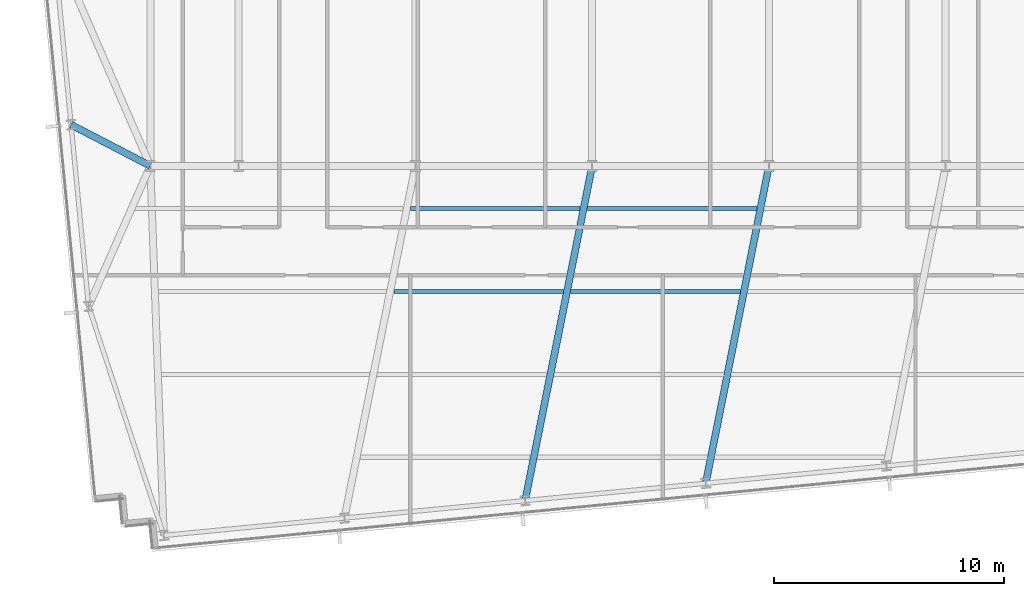
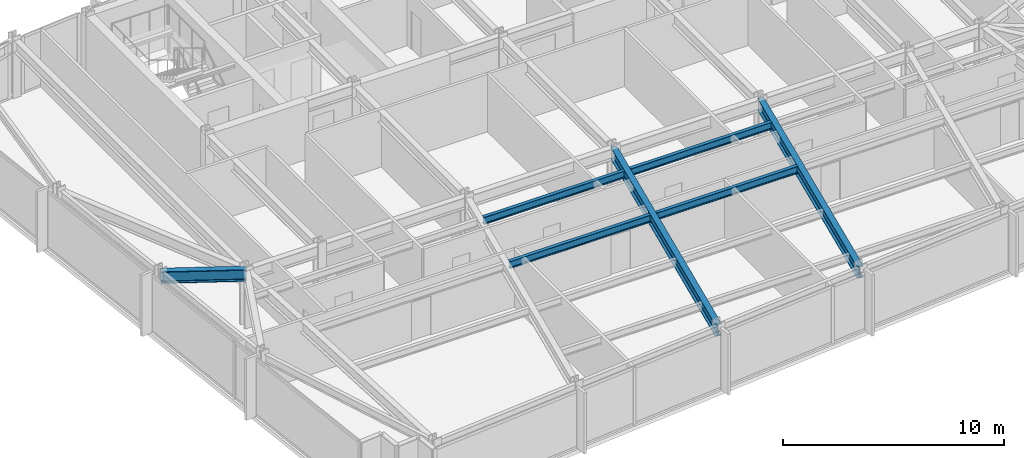
# One storey, part 5 of 33: 7 beams.
"""IFC4 building model written with IfcOpenShell, lengths in metres."""

from ifc_helpers import new_model, si_unit, direction, frame, origin, origin_2d, place, context, subcontext, project, spatial, i_section, extrude, material, material_profile, profile_set, type_object, element, save


model = new_model("IFC4")

# Units and contexts
model_context = context("Model", 3, precision=1e-05, world=origin(), true_north=direction((0.0, 1.0)))
body_context = subcontext(model_context, "Body", "Model", "MODEL_VIEW")
ifc_project = project(units=[si_unit("LENGTHUNIT", "METRE"), si_unit("AREAUNIT", "SQUARE_METRE"), si_unit("VOLUMEUNIT", "CUBIC_METRE"), si_unit("PLANEANGLEUNIT", "RADIAN"), si_unit("MASSUNIT", "GRAM", prefix="KILO")], contexts=[model_context])

# Site, building, storey
site_placement = place(None, origin())
site = spatial("IfcSite", under=ifc_project, at=site_placement, CompositionType="ELEMENT")
building_placement = place(site_placement, origin())
building = spatial("IfcBuilding", under=site, at=building_placement, Name="Yelkora Congress Tower", CompositionType="ELEMENT")
storey_placement = place(building_placement, frame((0.0, 0.0, 123.699951171875)))
storey = spatial("IfcBuildingStorey", under=building, at=storey_placement, Name="L33", CompositionType="ELEMENT", Elevation=123.699951171875)

# Beams
ifc_material = material(Name="Steel S355J2", Category="steel")
ifc_material_profile_1 = material_profile(ifc_material, i_section(OverallWidth=0.300048828125, OverallDepth=0.64990234375, WebThickness=0.01611328125, FlangeThickness=0.031005859375, FilletRadius=0.027099609375, at=origin_2d()), Name="HEB 650")
ifc_profile_set_1 = profile_set([ifc_material_profile_1], Name="Steel S355J2")
beam_type_1 = type_object("IfcBeamType", Name="BM-GIRD-HEB650", PredefinedType="BEAM", material=ifc_profile_set_1)
beam_1_placement = place(storey_placement, frame((35.48486328125, 10.656005859375, 2.85498046875), z_axis=(0.196521264673, 0.980499562739, 0.0), x_axis=(-0.980499562739, 0.196521264673, 0.0)))
element("IfcBeam", 1, at=beam_1_placement, inside=storey, type_object=beam_type_1, Name="L33 Primary Frame Girder S03", PredefinedType="BEAM", context=body_context, shape_type="SweptSolid", body=[
    extrude(i_section(OverallWidth=0.300048828125, OverallDepth=0.64990234375, WebThickness=0.01611328125, FlangeThickness=0.031005859375, FilletRadius=0.027099609375, at=origin_2d()), origin(), (0.0, 0.0, 1.0), 14.833251953125),
])
beam_2_placement = place(storey_placement, frame((43.334228515625, 11.411865234375, 2.85498046875), z_axis=(0.195311238928, 0.980741311432, 0.0), x_axis=(-0.980741311432, 0.195311238928, 0.0)))
element("IfcBeam", 2, at=beam_2_placement, inside=storey, type_object=beam_type_1, Name="L33 Primary Frame Girder S04", PredefinedType="BEAM", context=body_context, shape_type="SweptSolid", body=[
    extrude(i_section(OverallWidth=0.300048828125, OverallDepth=0.64990234375, WebThickness=0.01611328125, FlangeThickness=0.031005859375, FilletRadius=0.027099609375, at=origin_2d()), origin(), (0.0, 0.0, 1.0), 14.058837890625),
])
beam_3_placement = place(storey_placement, frame((15.757080078125, 26.990478515625, 2.85498046875), z_axis=(0.887192078676, -0.461400276912, 0.0), x_axis=(0.461400276912, 0.887192078676, 0.0)))
element("IfcBeam", 3, at=beam_3_placement, inside=storey, type_object=beam_type_1, Name="L33 Primary Frame Girder W02", PredefinedType="BEAM", context=body_context, shape_type="SweptSolid", body=[
    extrude(i_section(OverallWidth=0.300048828125, OverallDepth=0.64990234375, WebThickness=0.01611328125, FlangeThickness=0.031005859375, FilletRadius=0.027099609375, at=origin_2d()), origin(), (0.0, 0.0, 1.0), 3.880615234375),
])
ifc_material_profile_2 = material_profile(ifc_material, i_section(OverallWidth=0.179931640625, OverallDepth=0.39990234375, WebThickness=0.008544921875, FlangeThickness=0.013427734375, FilletRadius=0.02099609375, at=origin_2d()), Name="IPE 400")
ifc_profile_set_2 = profile_set([ifc_material_profile_2], Name="Steel S355J2")
beam_type_2 = type_object("IfcBeamType", Name="BM-JOIST-IPE400", PredefinedType="JOIST", material=ifc_profile_set_2)
beam_4_placement = place(storey_placement, frame((29.780029296875, 19.744384765625, 2.97998046875), z_axis=(1.0, 0.0, 0.0), x_axis=(0.0, 1.0, 0.0)))
element("IfcBeam", 4, at=beam_4_placement, inside=storey, type_object=beam_type_2, Name="L33 Composite Floor Joist 12", PredefinedType="JOIST", context=body_context, shape_type="SweptSolid", body=[
    extrude(i_section(OverallWidth=0.179931640625, OverallDepth=0.39990234375, WebThickness=0.008544921875, FlangeThickness=0.013427734375, FilletRadius=0.02099609375, at=origin_2d()), origin(), (0.0, 0.0, 1.0), 7.366455078125),
])
beam_5_placement = place(storey_placement, frame((37.466552734375, 19.744384765625, 2.97998046875), z_axis=(1.0, 0.0, 0.0), x_axis=(0.0, 1.0, 0.0)))
element("IfcBeam", 5, at=beam_5_placement, inside=storey, type_object=beam_type_2, Name="L33 Composite Floor Joist 13", PredefinedType="JOIST", context=body_context, shape_type="SweptSolid", body=[
    extrude(i_section(OverallWidth=0.179931640625, OverallDepth=0.39990234375, WebThickness=0.008544921875, FlangeThickness=0.013427734375, FilletRadius=0.02099609375, at=origin_2d()), origin(), (0.0, 0.0, 1.0), 7.366943359375),
])
beam_6_placement = place(storey_placement, frame((30.505859375, 23.344482421875, 2.97998046875), z_axis=(1.0, 0.0, 0.0), x_axis=(0.0, 1.0, 0.0)))
element("IfcBeam", 6, at=beam_6_placement, inside=storey, type_object=beam_type_2, Name="L33 Composite Floor Joist 19", PredefinedType="JOIST", context=body_context, shape_type="SweptSolid", body=[
    extrude(i_section(OverallWidth=0.179931640625, OverallDepth=0.39990234375, WebThickness=0.008544921875, FlangeThickness=0.013427734375, FilletRadius=0.02099609375, at=origin_2d()), origin(), (0.0, 0.0, 1.0), 7.3623046875),
])
beam_7_placement = place(storey_placement, frame((38.18798828125, 23.344482421875, 2.97998046875), z_axis=(1.0, 0.0, 0.0), x_axis=(0.0, 1.0, 0.0)))
element("IfcBeam", 7, at=beam_7_placement, inside=storey, type_object=beam_type_2, Name="L33 Composite Floor Joist 20", PredefinedType="JOIST", context=body_context, shape_type="SweptSolid", body=[
    extrude(i_section(OverallWidth=0.179931640625, OverallDepth=0.39990234375, WebThickness=0.008544921875, FlangeThickness=0.013427734375, FilletRadius=0.02099609375, at=origin_2d()), origin(), (0.0, 0.0, 1.0), 7.362548828125),
])

save(model, "model.ifc")
